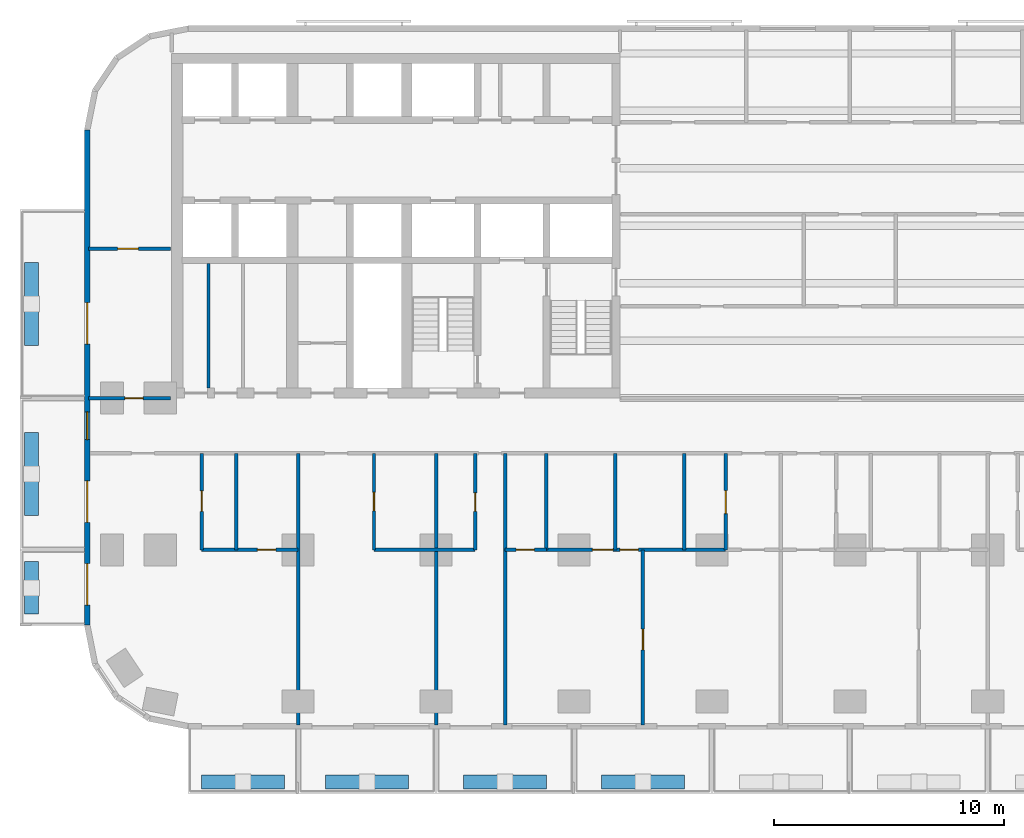
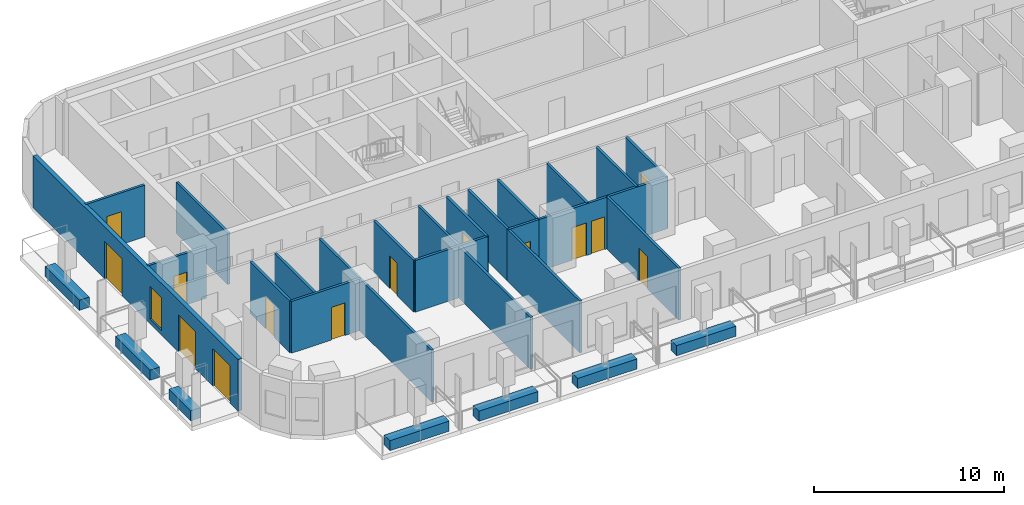
# One storey, part 2 of 14: 28 walls, 14 doors, 1 window, 15 openings.
"""IFC4 building model written with IfcOpenShell, lengths in metres."""

import ifcopenshell
import ifcopenshell.guid

model = None  # the IFC model being written
_history = None  # IfcOwnerHistory: only IFC2X3 demands one
_inside = {}  # id of a spatial element -> (the spatial element, [elements in it])
_under = {}  # id of a project, library or spatial element -> (it, [spatial elements below it])
_declared = {}  # id of a project -> (the project, [libraries it declares])
_typed = {}  # id of a type object -> (the type object, [elements of that type])
_made_of = {}  # id of a material, layer set ... -> (it, [elements and type objects made of it])


def new_model(schema):
    """Start an empty IFC model of exactly this schema.

    Asked for "IFC4X3", IfcOpenShell would pick the latest addendum, in which some entities
    have other attributes; the version numbers below select the first issue.
    IFC2X3 requires an IfcOwnerHistory on every rooted entity: one is made here for all.
    """
    global model, _history
    if schema == "IFC4X3":
        model = ifcopenshell.file(schema_version=(4, 3, 0, 0))
    else:
        model = ifcopenshell.file(schema=schema)
    _inside.clear()
    _under.clear()
    _declared.clear()
    _typed.clear()
    _made_of.clear()
    _history = None
    if model.schema == "IFC2X3":
        org = make("IfcOrganization", Name="unknown")
        user = make(
            "IfcPersonAndOrganization",
            ThePerson=make("IfcPerson", FamilyName="unknown"),
            TheOrganization=org,
        )
        app = make(
            "IfcApplication",
            ApplicationDeveloper=org,
            Version="unknown",
            ApplicationFullName="unknown",
            ApplicationIdentifier="unknown",
        )
        _history = make(
            "IfcOwnerHistory",
            OwningUser=user,
            OwningApplication=app,
            ChangeAction="ADDED",
            CreationDate=0,
        )
    return model


def make(cls, **values):
    """One entity of the class cls with the attributes given. An attribute that is None is left unset."""
    return model.create_entity(
        cls, **{name: value for name, value in values.items() if value is not None}
    )


def rooted(cls, **values):
    """An entity with a GlobalId (a new one), such as an element, a storey or a relation."""
    return make(cls, GlobalId=ifcopenshell.guid.new(), OwnerHistory=_history, **values)


def si_unit(unit_type, name, prefix=None):
    """IfcSIUnit, for example si_unit("LENGTHUNIT", "METRE", prefix="MILLI")."""
    return make("IfcSIUnit", UnitType=unit_type, Prefix=prefix, Name=name)


def assignment(units):
    """IfcUnitAssignment: the units of a project."""
    return None if units is None else make("IfcUnitAssignment", Units=units)


def point(xyz):
    """IfcCartesianPoint."""
    return None if xyz is None else make("IfcCartesianPoint", Coordinates=xyz)


def direction(xyz):
    """IfcDirection."""
    return None if xyz is None else make("IfcDirection", DirectionRatios=xyz)


def frame(location, z_axis=None, x_axis=None):
    """IfcAxis2Placement3D, a coordinate frame: its origin and axes. An axis left out is left unset."""
    return make(
        "IfcAxis2Placement3D",
        Location=point(location),
        Axis=direction(z_axis),
        RefDirection=direction(x_axis),
    )


def frame_2d(location, x_axis=None):
    """IfcAxis2Placement2D, a coordinate frame in the plane: its origin and x axis."""
    return make(
        "IfcAxis2Placement2D", Location=point(location), RefDirection=direction(x_axis)
    )


def origin():
    """The frame at (0, 0, 0) with its axes left unset."""
    return frame((0.0, 0.0, 0.0))


def place(relative_to, where):
    """IfcLocalPlacement: puts the frame where relative to a parent placement (None: the world)."""
    return make(
        "IfcLocalPlacement", PlacementRelTo=relative_to, RelativePlacement=where
    )


def context(
    kind, dimensions, precision=None, world=None, true_north=None, identifier=None
):
    """IfcGeometricRepresentationContext, for example the 3D "Model" context."""
    return make(
        "IfcGeometricRepresentationContext",
        ContextIdentifier=identifier,
        ContextType=kind,
        CoordinateSpaceDimension=dimensions,
        Precision=precision,
        WorldCoordinateSystem=world,
        TrueNorth=true_north,
    )


def subcontext(parent, identifier, kind, view, scale=None):
    """IfcGeometricRepresentationSubContext, for example "Body" below "Model"."""
    return make(
        "IfcGeometricRepresentationSubContext",
        ContextIdentifier=identifier,
        ContextType=kind,
        ParentContext=parent,
        TargetScale=scale,
        TargetView=view,
    )


def project(units=None, contexts=None):
    """IfcProject with its units and contexts."""
    return rooted(
        "IfcProject",
        Name="project",
        RepresentationContexts=contexts,
        UnitsInContext=assignment(units),
    )


def spatial(cls, under=None, at=None, **own):
    """A site, building, storey or space (cls), placed at a placement, below another one or the project."""
    s = rooted(cls, ObjectPlacement=at, **own)
    if under is not None:
        _under.setdefault(under.id(), (under, []))[1].append(s)
    return s


def profile(cls, at=None, kind="AREA", **sizes):
    """A parametric profile (cls). Its sizes go by their IFC names, for example OverallWidth=200.0."""
    return make(cls, ProfileType=kind, Position=at, **sizes)


def rectangle(**sizes):
    """IfcRectangleProfileDef."""
    return profile("IfcRectangleProfileDef", **sizes)


def extrude(swept, where, along, depth):
    """IfcExtrudedAreaSolid: the profile swept, set in the frame where, extruded along a direction by depth."""
    return make(
        "IfcExtrudedAreaSolid",
        SweptArea=swept,
        Position=where,
        ExtrudedDirection=direction(along),
        Depth=depth,
    )


def shape(context_of_items, identifier, shape_type, items):
    """IfcShapeRepresentation: the items that make up one representation, for example the "Body"."""
    return make(
        "IfcShapeRepresentation",
        ContextOfItems=context_of_items,
        RepresentationIdentifier=identifier,
        RepresentationType=shape_type,
        Items=items,
    )


def material(Name=None, Category=None):
    """IfcMaterial."""
    return make("IfcMaterial", Name=Name, Category=Category)


def layer(
    of_material, thickness, ventilated=None, Name=None, Category=None, Priority=None
):
    """IfcMaterialLayer: one layer of a wall or slab, of a material (None: an air gap)."""
    return make(
        "IfcMaterialLayer",
        Material=of_material,
        LayerThickness=thickness,
        IsVentilated=ventilated,
        Name=Name,
        Category=Category,
        Priority=Priority,
    )


def layer_set(layers, Name=None):
    """IfcMaterialLayerSet."""
    return make("IfcMaterialLayerSet", MaterialLayers=layers, LayerSetName=Name)


def made_of(thing, what):
    """Note that an element or type object is made of a material, layer set ...; save() writes the relation."""
    if what is not None:
        _made_of.setdefault(what.id(), (what, []))[1].append(thing)
    return thing


def type_object(cls, material=None, **own):
    """A type object (cls), such as IfcWallType, which elements share."""
    return made_of(rooted(cls, **own), material)


def element(
    cls,
    number,
    at=None,
    inside=None,
    cuts=None,
    type_object=None,
    material=None,
    context=None,
    identifier="Body",
    shape_type=None,
    held_by="IfcProductDefinitionShape",
    body=None,
    shapes=None,
    **own,
):
    """One element of the class cls, such as IfcWall. Its Tag is "e" and its number.

    at: its placement. inside: the storey or other place that contains it. cuts: it is an
    opening in that element (IfcRelVoidsElement). A single representation is given by context,
    identifier, shape_type and body (its items); several are given by shapes. held_by: the class
    of the entity that holds the representations. save() writes the other relations.
    """
    e = rooted(cls, Tag="e%d" % number, ObjectPlacement=at, **own)
    if body is not None:
        shapes = [shape(context, identifier, shape_type, body)]
    if shapes is not None:
        e.Representation = make(held_by, Representations=shapes)
    if inside is not None:
        _inside.setdefault(inside.id(), (inside, []))[1].append(e)
    if cuts is not None:
        rooted(
            "IfcRelVoidsElement", RelatingBuildingElement=cuts, RelatedOpeningElement=e
        )
    if type_object is not None:
        _typed.setdefault(type_object.id(), (type_object, []))[1].append(e)
    return made_of(e, material)


def fill(opening, filler):
    """IfcRelFillsElement: the door or window that sits in an opening."""
    return rooted(
        "IfcRelFillsElement",
        RelatingOpeningElement=opening,
        RelatedBuildingElement=filler,
    )


def aggregate(whole, parts):
    """IfcRelAggregates: a whole, such as a stair, and the parts it consists of."""
    return rooted("IfcRelAggregates", RelatingObject=whole, RelatedObjects=parts)


def save(model, path):
    """Write the relations noted so far, then the file.

    IfcRelAggregates (storeys below a building ...), IfcRelContainedInSpatialStructure (elements
    in a storey), IfcRelDefinesByType, IfcRelAssociatesMaterial and IfcRelDeclares: one each for
    every whole, place, type object, material and project.
    """
    for whole, parts in _under.values():
        aggregate(whole, parts)
    for where, things in _inside.values():
        rooted(
            "IfcRelContainedInSpatialStructure",
            RelatedElements=things,
            RelatingStructure=where,
        )
    for kind, things in _typed.values():
        rooted("IfcRelDefinesByType", RelatedObjects=things, RelatingType=kind)
    for what, things in _made_of.values():
        rooted("IfcRelAssociatesMaterial", RelatedObjects=things, RelatingMaterial=what)
    for by, libraries in _declared.values():
        rooted("IfcRelDeclares", RelatingContext=by, RelatedDefinitions=libraries)
    model.write(path)


model = new_model("IFC4")

# Units and contexts
model_context = context("Model", 3, precision=1e-05, world=origin(), true_north=direction((0.0, 1.0)))
body_context = subcontext(model_context, "Body", "Model", "MODEL_VIEW")
ifc_project = project(units=[si_unit("LENGTHUNIT", "METRE"), si_unit("AREAUNIT", "SQUARE_METRE"), si_unit("VOLUMEUNIT", "CUBIC_METRE"), si_unit("PLANEANGLEUNIT", "RADIAN"), si_unit("MASSUNIT", "GRAM", prefix="KILO")], contexts=[model_context])

# Site, building, storey
site_placement = place(None, origin())
site = spatial("IfcSite", under=ifc_project, at=site_placement, CompositionType="ELEMENT")
building_placement = place(site_placement, origin())
building = spatial("IfcBuilding", under=site, at=building_placement, Name="Torana Hotel and Residences", CompositionType="ELEMENT")
storey_placement = place(building_placement, frame((0.0, 0.0, 85.199951171875)))
storey = spatial("IfcBuildingStorey", under=building, at=storey_placement, Name="L21", CompositionType="ELEMENT", Elevation=85.199951171875)

# Wall, openings, doors, window
ifc_material_1 = material(Name="Black aluminium composite panel", Category="aluminium")
ifc_layer_1 = layer(ifc_material_1, 0.00390625, Name="Cladding", Category="cladding")
ifc_material_2 = material(Name="Ventilated air cavity")
ifc_layer_2 = layer(ifc_material_2, 0.0400390625, Name="Ventilated cavity", Category="cavity")
ifc_material_3 = material(Name="Mineral wool insulation")
ifc_layer_3 = layer(ifc_material_3, 0.090087890625, Name="Insulation", Category="insulation")
ifc_material_4 = material(Name="Steel S280GD", Category="steel")
ifc_layer_4 = layer(ifc_material_4, 0.092041015625, Name="Steel stud frame", Category="structure")
ifc_material_5 = material(Name="Fire rated plasterboard")
ifc_layer_5 = layer(ifc_material_5, 0.011962890625, Name="Inner board", Category="finish")
ifc_layer_6 = layer(ifc_material_5, 0.011962890625, Name="Second board", Category="finish")
ifc_layer_set_1 = layer_set([ifc_layer_1, ifc_layer_2, ifc_layer_3, ifc_layer_4, ifc_layer_5, ifc_layer_6], Name="EW1 EXTERNAL WALL BLACK METAL CLAD 250")
wall_type_1 = type_object("IfcWallType", Name="EW1 EXTERNAL WALL BLACK METAL CLAD 250", PredefinedType="SOLIDWALL", material=ifc_layer_set_1)
wall_1_placement = place(storey_placement, frame((-33.175048828125, -3.32470703125, 0.0), z_axis=(0.0, 0.0, 1.0), x_axis=(0.0, -1.0, 0.0)))
wall_1 = element("IfcWall", 1, at=wall_1_placement, inside=storey, type_object=wall_type_1, Name="External wall L21 e0.9", PredefinedType="SOLIDWALL", context=body_context, shape_type="SweptSolid", body=[
    extrude(rectangle(XDim=21.55078125, YDim=0.25, at=frame_2d((10.775390625, 0.0))), origin(), (0.0, 0.0, 1.0), 3.320068359375),
])
opening_1_placement = place(wall_1_placement, frame((7.525390625, 0.0, 0.0)))
opening_1 = element("IfcOpeningElement", 2, at=opening_1_placement, cuts=wall_1, Name="Opening L21-E14", PredefinedType="OPENING", context=body_context, shape_type="SweptSolid", body=[
    extrude(rectangle(XDim=1.800048828125, YDim=2.39990234375, at=frame_2d((0.89990234375, 1.199951171875))), frame((0.0, 0.135009765625, 0.0), z_axis=(0.0, -1.0, 0.0), x_axis=(1.0, 0.0, 0.0)), (0.0, 0.0, 1.0), 0.27001953125),
])
opening_2_placement = place(wall_1_placement, frame((12.275390625, 0.0, 0.300048828125)))
opening_2 = element("IfcOpeningElement", 3, at=opening_2_placement, cuts=wall_1, Name="Opening W7", PredefinedType="OPENING", context=body_context, shape_type="SweptSolid", body=[
    extrude(rectangle(XDim=1.199951171875, YDim=2.10009765625, at=frame_2d((0.60009765625, 1.050048828125))), frame((0.0, 0.135009765625, 0.0), z_axis=(0.0, -1.0, 0.0), x_axis=(1.0, 0.0, 0.0)), (0.0, 0.0, 1.0), 0.27001953125),
])
opening_3_placement = place(wall_1_placement, frame((15.275390625, 0.0, 0.0)))
opening_3 = element("IfcOpeningElement", 4, at=opening_3_placement, cuts=wall_1, Name="Opening L21-E15", PredefinedType="OPENING", context=body_context, shape_type="SweptSolid", body=[
    extrude(rectangle(XDim=1.800048828125, YDim=2.39990234375, at=frame_2d((0.89990234375, 1.199951171875))), frame((0.0, 0.135009765625, 0.0), z_axis=(0.0, -1.0, 0.0), x_axis=(1.0, 0.0, 0.0)), (0.0, 0.0, 1.0), 0.27001953125),
])
opening_4_placement = place(wall_1_placement, frame((18.87548828125, 0.0, 0.0)))
opening_4 = element("IfcOpeningElement", 5, at=opening_4_placement, cuts=wall_1, Name="Opening L21-E16", PredefinedType="OPENING", context=body_context, shape_type="SweptSolid", body=[
    extrude(rectangle(XDim=1.800048828125, YDim=2.39990234375, at=frame_2d((0.89990234375, 1.199951171875))), frame((0.0, 0.135009765625, 0.0), z_axis=(0.0, -1.0, 0.0), x_axis=(1.0, 0.0, 0.0)), (0.0, 0.0, 1.0), 0.27001953125),
])
ifc_material_6 = material(Name="Dark glass in black aluminium frame", Category="aluminium")
door_type_1 = type_object("IfcDoorType", Name="DB1 BALCONY DOOR 1800x2400", OperationType="DOUBLE_DOOR_SINGLE_SWING", PredefinedType="DOOR", material=ifc_material_6)
door_1_placement = place(opening_1_placement, origin())
door_1 = element("IfcDoor", 6, at=door_1_placement, inside=storey, type_object=door_type_1, Name="Balcony door L21", OperationType="DOUBLE_DOOR_SINGLE_SWING", OverallHeight=2.39990234375, OverallWidth=1.800048828125, PredefinedType="DOOR", context=body_context, shape_type="SweptSolid", body=[
    extrude(rectangle(XDim=1.800048828125, YDim=2.39990234375, at=frame_2d((0.89990234375, 1.199951171875))), frame((0.0, 0.02490234375, 0.0), z_axis=(0.0, -1.0, 0.0), x_axis=(1.0, 0.0, 0.0)), (0.0, 0.0, 1.0), 0.050048828125),
])
fill(opening_1, door_1)
door_2_placement = place(opening_3_placement, origin())
door_2 = element("IfcDoor", 7, at=door_2_placement, inside=storey, type_object=door_type_1, Name="Balcony door L21", OperationType="DOUBLE_DOOR_SINGLE_SWING", OverallHeight=2.39990234375, OverallWidth=1.800048828125, PredefinedType="DOOR", context=body_context, shape_type="SweptSolid", body=[
    extrude(rectangle(XDim=1.800048828125, YDim=2.39990234375, at=frame_2d((0.89990234375, 1.199951171875))), frame((0.0, 0.02490234375, 0.0), z_axis=(0.0, -1.0, 0.0), x_axis=(1.0, 0.0, 0.0)), (0.0, 0.0, 1.0), 0.050048828125),
])
fill(opening_3, door_2)
door_3_placement = place(opening_4_placement, frame((0.89990234375, 0.0, 0.0), z_axis=(0.0, 0.0, 1.0), x_axis=(-1.0, 0.0, 0.0)))
door_3 = element("IfcDoor", 8, at=door_3_placement, inside=storey, type_object=door_type_1, Name="Balcony door L21", OperationType="DOUBLE_DOOR_SINGLE_SWING", OverallHeight=2.39990234375, OverallWidth=1.800048828125, PredefinedType="DOOR", context=body_context, shape_type="SweptSolid", body=[
    extrude(rectangle(XDim=1.800048828125, YDim=2.39990234375, at=frame_2d((0.0, 1.199951171875))), frame((0.0, -0.02490234375, 0.0), z_axis=(0.0, 1.0, 0.0), x_axis=(-1.0, 0.0, 0.0)), (0.0, 0.0, 1.0), 0.050048828125),
])
fill(opening_4, door_3)
ifc_material_7 = material(Name="Dark glass in black aluminium frame", Category="aluminium")
window_type = type_object("IfcWindowType", Name="W7 HOTEL CORRIDOR WINDOW 1200x2100", PartitioningType="SINGLE_PANEL", PredefinedType="WINDOW", material=ifc_material_7)
window_placement = place(opening_2_placement, origin())
window = element("IfcWindow", 9, at=window_placement, inside=storey, type_object=window_type, Name="Window L21", OverallHeight=2.10009765625, OverallWidth=1.199951171875, PartitioningType="SINGLE_PANEL", PredefinedType="WINDOW", context=body_context, shape_type="SweptSolid", body=[
    extrude(rectangle(XDim=1.199951171875, YDim=2.10009765625, at=frame_2d((0.60009765625, 1.050048828125))), frame((0.0, 0.030029296875, 0.0), z_axis=(0.0, -1.0, 0.0), x_axis=(1.0, 0.0, 0.0)), (0.0, 0.0, 1.0), 0.06005859375),
])
fill(opening_2, window)

# Wall
ifc_material_8 = material(Name="Gypsum plaster")
ifc_layer_7 = layer(ifc_material_8, 0.014892578125, Name="Plaster", Category="finish")
ifc_material_9 = material(Name="Concrete blockwork", Category="masonry")
ifc_layer_8 = layer(ifc_material_9, 0.1201171875, Name="Blockwork", Category="structure")
ifc_layer_9 = layer(ifc_material_8, 0.014892578125, Name="Plaster", Category="finish")
ifc_layer_set_2 = layer_set([ifc_layer_7, ifc_layer_8, ifc_layer_9], Name="FIRE PARTITION 150 BLOCKWORK")
wall_type_2 = type_object("IfcWallType", Name="FIRE PARTITION 150 BLOCKWORK", PredefinedType="PARTITIONING", material=ifc_layer_set_2)
wall_2_placement = place(storey_placement, frame((-27.89990234375, -14.550048828125, 0.0), z_axis=(0.0, 0.0, 1.0), x_axis=(0.0, 1.0, 0.0)))
element("IfcWall", 10, at=wall_2_placement, inside=storey, type_object=wall_type_2, Name="Core partition L21", PredefinedType="PARTITIONING", context=body_context, shape_type="SweptSolid", body=[
    extrude(rectangle(XDim=5.400146484375, YDim=0.14990234375, at=frame_2d((2.7001953125, 0.0))), origin(), (0.0, 0.0, 1.0), 3.300048828125),
])

# Wall, opening, door
wall_3_placement = place(storey_placement, frame((-5.39990234375, -21.60009765625, 0.0), z_axis=(0.0, 0.0, 1.0), x_axis=(0.0, 1.0, 0.0)))
wall_3 = element("IfcWall", 11, at=wall_3_placement, inside=storey, type_object=wall_type_2, Name="Partition L21", PredefinedType="PARTITIONING", context=body_context, shape_type="SweptSolid", body=[
    extrude(rectangle(XDim=4.2001953125, YDim=0.14990234375, at=frame_2d((2.10009765625, 0.0))), origin(), (0.0, 0.0, 1.0), 3.320068359375),
])
opening_5_placement = place(wall_3_placement, frame((1.580078125, 0.0, 0.0)))
opening_5 = element("IfcOpeningElement", 12, at=opening_5_placement, cuts=wall_3, Name="Opening L21-65", PredefinedType="OPENING", context=body_context, shape_type="SweptSolid", body=[
    extrude(rectangle(XDim=1.0, YDim=2.10009765625, at=frame_2d((0.5, 1.050048828125))), frame((0.0, 0.0849609375, 0.0), z_axis=(0.0, -1.0, 0.0), x_axis=(1.0, 0.0, 0.0)), (0.0, 0.0, 1.0), 0.169921875),
])
ifc_material_10 = material(Name="Steel S235", Category="steel")
door_type_2 = type_object("IfcDoorType", Name="ENTRY FIRE DOOR D6 1000x2100", OperationType="SINGLE_SWING_LEFT", PredefinedType="DOOR", material=ifc_material_10)
door_4_placement = place(opening_5_placement, origin())
door_4 = element("IfcDoor", 13, at=door_4_placement, inside=storey, type_object=door_type_2, Name="Door L21", OperationType="SINGLE_SWING_RIGHT", OverallHeight=2.10009765625, OverallWidth=1.0, PredefinedType="DOOR", context=body_context, shape_type="SweptSolid", body=[
    extrude(rectangle(XDim=1.0, YDim=2.10009765625, at=frame_2d((0.5, 1.050048828125))), frame((0.0, 0.02490234375, 0.0), z_axis=(0.0, -1.0, 0.0), x_axis=(1.0, 0.0, 0.0)), (0.0, 0.0, 1.0), 0.050048828125),
])
fill(opening_5, door_4)

wall_4_placement = place(storey_placement, frame((-33.1201171875, -15.0, 0.0), z_axis=(0.0, 0.0, 1.0), x_axis=(1.0, 0.0, 0.0)))
wall_4 = element("IfcWall", 14, at=wall_4_placement, inside=storey, type_object=wall_type_2, Name="Partition L21", PredefinedType="PARTITIONING", context=body_context, shape_type="SweptSolid", body=[
    extrude(rectangle(XDim=3.570068359375, YDim=0.14990234375, at=frame_2d((1.78515625, 0.0))), origin(), (0.0, 0.0, 1.0), 3.320068359375),
])
opening_6_placement = place(wall_4_placement, frame((1.580078125, 0.0, 0.0)))
opening_6 = element("IfcOpeningElement", 15, at=opening_6_placement, cuts=wall_4, Name="Opening L21-49", PredefinedType="OPENING", context=body_context, shape_type="SweptSolid", body=[
    extrude(rectangle(XDim=0.800048828125, YDim=2.10009765625, at=frame_2d((0.39990234375, 1.050048828125))), frame((0.0, 0.0849609375, 0.0), z_axis=(0.0, -1.0, 0.0), x_axis=(1.0, 0.0, 0.0)), (0.0, 0.0, 1.0), 0.169921875),
])
ifc_material_11 = material(Name="Steel S235", Category="steel")
door_type_3 = type_object("IfcDoorType", Name="STORE FIRE DOOR D16 800x2100", OperationType="SINGLE_SWING_LEFT", PredefinedType="DOOR", material=ifc_material_11)
door_5_placement = place(opening_6_placement, origin())
door_5 = element("IfcDoor", 16, at=door_5_placement, inside=storey, type_object=door_type_3, Name="Door L21", OperationType="SINGLE_SWING_RIGHT", OverallHeight=2.10009765625, OverallWidth=0.800048828125, PredefinedType="DOOR", context=body_context, shape_type="SweptSolid", body=[
    extrude(rectangle(XDim=0.800048828125, YDim=2.10009765625, at=frame_2d((0.39990234375, 1.050048828125))), frame((0.0, 0.02490234375, 0.0), z_axis=(0.0, -1.0, 0.0), x_axis=(1.0, 0.0, 0.0)), (0.0, 0.0, 1.0), 0.050048828125),
])
fill(opening_6, door_5)

# Wall
ifc_material_12 = material(Name="Gypsum plasterboard")
ifc_layer_10 = layer(ifc_material_12, 0.012451171875, Name="Plasterboard", Category="finish")
ifc_layer_11 = layer(ifc_material_12, 0.012451171875, Name="Plasterboard", Category="finish")
ifc_layer_12 = layer(ifc_material_4, 0.10009765625, Name="Steel studs with mineral wool", Category="insulation")
ifc_layer_13 = layer(ifc_material_12, 0.012451171875, Name="Plasterboard", Category="finish")
ifc_layer_14 = layer(ifc_material_12, 0.012451171875, Name="Plasterboard", Category="finish")
ifc_layer_set_3 = layer_set([ifc_layer_10, ifc_layer_11, ifc_layer_12, ifc_layer_13, ifc_layer_14], Name="PARTITION 150 PLASTERBOARD")
wall_type_3 = type_object("IfcWallType", Name="PARTITION 150 PLASTERBOARD", PredefinedType="PARTITIONING", material=ifc_layer_set_3)
wall_5_placement = place(storey_placement, frame((-7.199951171875, -21.60009765625, 0.0), z_axis=(0.0, 0.0, 1.0), x_axis=(0.0, 1.0, 0.0)))
element("IfcWall", 17, at=wall_5_placement, inside=storey, type_object=wall_type_3, Name="Partition L21", PredefinedType="PARTITIONING", context=body_context, shape_type="SweptSolid", body=[
    extrude(rectangle(XDim=4.2001953125, YDim=0.14990234375, at=frame_2d((2.10009765625, 0.0))), origin(), (0.0, 0.0, 1.0), 3.320068359375),
])

# Wall, opening, door
wall_6_placement = place(storey_placement, frame((-9.0, -29.219970703125, 0.0), z_axis=(0.0, 0.0, 1.0), x_axis=(0.0, 1.0, 0.0)))
wall_6 = element("IfcWall", 18, at=wall_6_placement, inside=storey, type_object=wall_type_3, Name="Partition L21", PredefinedType="PARTITIONING", context=body_context, shape_type="SweptSolid", body=[
    extrude(rectangle(XDim=7.619873046875, YDim=0.14990234375, at=frame_2d((3.81005859375, 0.0))), origin(), (0.0, 0.0, 1.0), 3.320068359375),
])
opening_7_placement = place(wall_6_placement, frame((3.27001953125, 0.0, 0.0)))
opening_7 = element("IfcOpeningElement", 19, at=opening_7_placement, cuts=wall_6, Name="Opening L21-67", PredefinedType="OPENING", context=body_context, shape_type="SweptSolid", body=[
    extrude(rectangle(XDim=0.89990234375, YDim=2.10009765625, at=frame_2d((0.449951171875, 1.050048828125))), frame((0.0, 0.0849609375, 0.0), z_axis=(0.0, -1.0, 0.0), x_axis=(1.0, 0.0, 0.0)), (0.0, 0.0, 1.0), 0.169921875),
])
ifc_material_13 = material(Name="Timber door, oiled ash", Category="wood")
door_type_4 = type_object("IfcDoorType", Name="ROOM DOOR D7 900x2100", OperationType="SINGLE_SWING_LEFT", PredefinedType="DOOR", material=ifc_material_13)
door_6_placement = place(opening_7_placement, origin())
door_6 = element("IfcDoor", 20, at=door_6_placement, inside=storey, type_object=door_type_4, Name="Door L21", OperationType="SINGLE_SWING_RIGHT", OverallHeight=2.10009765625, OverallWidth=0.89990234375, PredefinedType="DOOR", context=body_context, shape_type="SweptSolid", body=[
    extrude(rectangle(XDim=0.89990234375, YDim=2.10009765625, at=frame_2d((0.449951171875, 1.050048828125))), frame((0.0, 0.02490234375, 0.0), z_axis=(0.0, -1.0, 0.0), x_axis=(1.0, 0.0, 0.0)), (0.0, 0.0, 1.0), 0.050048828125),
])
fill(opening_7, door_6)

# Walls
wall_7_placement = place(storey_placement, frame((-10.199951171875, -21.60009765625, 0.0), z_axis=(0.0, 0.0, 1.0), x_axis=(0.0, 1.0, 0.0)))
element("IfcWall", 21, at=wall_7_placement, inside=storey, type_object=wall_type_3, Name="Partition L21", PredefinedType="PARTITIONING", context=body_context, shape_type="SweptSolid", body=[
    extrude(rectangle(XDim=4.2001953125, YDim=0.14990234375, at=frame_2d((2.10009765625, 0.0))), origin(), (0.0, 0.0, 1.0), 3.320068359375),
])
wall_8_placement = place(storey_placement, frame((-15.0, -29.219970703125, 0.0), z_axis=(0.0, 0.0, 1.0), x_axis=(0.0, 1.0, 0.0)))
element("IfcWall", 22, at=wall_8_placement, inside=storey, type_object=wall_type_3, Name="Partition L21", PredefinedType="PARTITIONING", context=body_context, shape_type="SweptSolid", body=[
    extrude(rectangle(XDim=7.619873046875, YDim=0.14990234375, at=frame_2d((3.81005859375, 0.0))), origin(), (0.0, 0.0, 1.0), 3.320068359375),
])

# Wall, opening, door
wall_9_placement = place(storey_placement, frame((-16.300048828125, -21.60009765625, 0.0), z_axis=(0.0, 0.0, 1.0), x_axis=(0.0, 1.0, 0.0)))
wall_9 = element("IfcWall", 23, at=wall_9_placement, inside=storey, type_object=wall_type_3, Name="Partition L21", PredefinedType="PARTITIONING", context=body_context, shape_type="SweptSolid", body=[
    extrude(rectangle(XDim=4.2001953125, YDim=0.14990234375, at=frame_2d((2.10009765625, 0.0))), origin(), (0.0, 0.0, 1.0), 3.320068359375),
])
opening_8_placement = place(wall_9_placement, frame((1.679931640625, 0.0, 0.0)))
opening_8 = element("IfcOpeningElement", 24, at=opening_8_placement, cuts=wall_9, Name="Opening L21-61", PredefinedType="OPENING", context=body_context, shape_type="SweptSolid", body=[
    extrude(rectangle(XDim=0.800048828125, YDim=2.10009765625, at=frame_2d((0.39990234375, 1.050048828125))), frame((0.0, 0.0849609375, 0.0), z_axis=(0.0, -1.0, 0.0), x_axis=(1.0, 0.0, 0.0)), (0.0, 0.0, 1.0), 0.169921875),
])
ifc_material_14 = material(Name="Timber door, painted", Category="wood")
door_type_5 = type_object("IfcDoorType", Name="BATH DOOR D13 800x2100", OperationType="SINGLE_SWING_LEFT", PredefinedType="DOOR", material=ifc_material_14)
door_7_placement = place(opening_8_placement, origin())
door_7 = element("IfcDoor", 25, at=door_7_placement, inside=storey, type_object=door_type_5, Name="Door L21", OperationType="SINGLE_SWING_RIGHT", OverallHeight=2.10009765625, OverallWidth=0.800048828125, PredefinedType="DOOR", context=body_context, shape_type="SweptSolid", body=[
    extrude(rectangle(XDim=0.800048828125, YDim=2.10009765625, at=frame_2d((0.39990234375, 1.050048828125))), frame((0.0, 0.02490234375, 0.0), z_axis=(0.0, -1.0, 0.0), x_axis=(1.0, 0.0, 0.0)), (0.0, 0.0, 1.0), 0.050048828125),
])
fill(opening_8, door_7)

# Wall
wall_10_placement = place(storey_placement, frame((-18.0, -29.219970703125, 0.0), z_axis=(0.0, 0.0, 1.0), x_axis=(0.0, 1.0, 0.0)))
element("IfcWall", 26, at=wall_10_placement, inside=storey, type_object=wall_type_3, Name="Partition L21", PredefinedType="PARTITIONING", context=body_context, shape_type="SweptSolid", body=[
    extrude(rectangle(XDim=11.820068359375, YDim=0.14990234375, at=frame_2d((5.91015625, 0.0))), origin(), (0.0, 0.0, 1.0), 3.320068359375),
])

# Wall, opening, door
wall_11_placement = place(storey_placement, frame((-20.699951171875, -21.60009765625, 0.0), z_axis=(0.0, 0.0, 1.0), x_axis=(0.0, 1.0, 0.0)))
wall_11 = element("IfcWall", 27, at=wall_11_placement, inside=storey, type_object=wall_type_3, Name="Partition L21", PredefinedType="PARTITIONING", context=body_context, shape_type="SweptSolid", body=[
    extrude(rectangle(XDim=4.2001953125, YDim=0.14990234375, at=frame_2d((2.10009765625, 0.0))), origin(), (0.0, 0.0, 1.0), 3.320068359375),
])
opening_9_placement = place(wall_11_placement, frame((1.699951171875, 0.0, 0.0)))
opening_9 = element("IfcOpeningElement", 28, at=opening_9_placement, cuts=wall_11, Name="Opening L21-60", PredefinedType="OPENING", context=body_context, shape_type="SweptSolid", body=[
    extrude(rectangle(XDim=0.800048828125, YDim=2.10009765625, at=frame_2d((0.39990234375, 1.050048828125))), frame((0.0, 0.0849609375, 0.0), z_axis=(0.0, -1.0, 0.0), x_axis=(1.0, 0.0, 0.0)), (0.0, 0.0, 1.0), 0.169921875),
])
door_8_placement = place(opening_9_placement, origin())
door_8 = element("IfcDoor", 29, at=door_8_placement, inside=storey, type_object=door_type_5, Name="Door L21", OperationType="SINGLE_SWING_RIGHT", OverallHeight=2.10009765625, OverallWidth=0.800048828125, PredefinedType="DOOR", context=body_context, shape_type="SweptSolid", body=[
    extrude(rectangle(XDim=0.800048828125, YDim=2.10009765625, at=frame_2d((0.39990234375, 1.050048828125))), frame((0.0, 0.02490234375, 0.0), z_axis=(0.0, -1.0, 0.0), x_axis=(1.0, 0.0, 0.0)), (0.0, 0.0, 1.0), 0.050048828125),
])
fill(opening_9, door_8)

# Walls
wall_12_placement = place(storey_placement, frame((-24.0, -29.219970703125, 0.0), z_axis=(0.0, 0.0, 1.0), x_axis=(0.0, 1.0, 0.0)))
element("IfcWall", 30, at=wall_12_placement, inside=storey, type_object=wall_type_3, Name="Partition L21", PredefinedType="PARTITIONING", context=body_context, shape_type="SweptSolid", body=[
    extrude(rectangle(XDim=11.820068359375, YDim=0.14990234375, at=frame_2d((5.91015625, 0.0))), origin(), (0.0, 0.0, 1.0), 3.320068359375),
])
wall_13_placement = place(storey_placement, frame((-26.699951171875, -21.60009765625, 0.0), z_axis=(0.0, 0.0, 1.0), x_axis=(0.0, 1.0, 0.0)))
element("IfcWall", 31, at=wall_13_placement, inside=storey, type_object=wall_type_3, Name="Partition L21", PredefinedType="PARTITIONING", context=body_context, shape_type="SweptSolid", body=[
    extrude(rectangle(XDim=4.2001953125, YDim=0.14990234375, at=frame_2d((2.10009765625, 0.0))), origin(), (0.0, 0.0, 1.0), 3.320068359375),
])

# Wall, opening, door
wall_14_placement = place(storey_placement, frame((-28.199951171875, -21.60009765625, 0.0), z_axis=(0.0, 0.0, 1.0), x_axis=(0.0, 1.0, 0.0)))
wall_14 = element("IfcWall", 32, at=wall_14_placement, inside=storey, type_object=wall_type_3, Name="Partition L21", PredefinedType="PARTITIONING", context=body_context, shape_type="SweptSolid", body=[
    extrude(rectangle(XDim=4.2001953125, YDim=0.14990234375, at=frame_2d((2.10009765625, 0.0))), origin(), (0.0, 0.0, 1.0), 3.320068359375),
])
opening_10_placement = place(wall_14_placement, frame((1.669921875, 0.0, 0.0)))
opening_10 = element("IfcOpeningElement", 33, at=opening_10_placement, cuts=wall_14, Name="Opening L21-78", PredefinedType="OPENING", context=body_context, shape_type="SweptSolid", body=[
    extrude(rectangle(XDim=0.89990234375, YDim=2.10009765625, at=frame_2d((0.449951171875, 1.050048828125))), frame((0.0, 0.0849609375, 0.0), z_axis=(0.0, -1.0, 0.0), x_axis=(1.0, 0.0, 0.0)), (0.0, 0.0, 1.0), 0.169921875),
])
door_9_placement = place(opening_10_placement, origin())
door_9 = element("IfcDoor", 34, at=door_9_placement, inside=storey, type_object=door_type_4, Name="Door L21", OperationType="SINGLE_SWING_RIGHT", OverallHeight=2.10009765625, OverallWidth=0.89990234375, PredefinedType="DOOR", context=body_context, shape_type="SweptSolid", body=[
    extrude(rectangle(XDim=0.89990234375, YDim=2.10009765625, at=frame_2d((0.449951171875, 1.050048828125))), frame((0.0, 0.02490234375, 0.0), z_axis=(0.0, -1.0, 0.0), x_axis=(1.0, 0.0, 0.0)), (0.0, 0.0, 1.0), 0.050048828125),
])
fill(opening_10, door_9)

wall_15_placement = place(storey_placement, frame((-28.199951171875, -21.60009765625, 0.0), z_axis=(0.0, 0.0, 1.0), x_axis=(1.0, 0.0, 0.0)))
wall_15 = element("IfcWall", 35, at=wall_15_placement, inside=storey, type_object=wall_type_3, Name="Partition L21", PredefinedType="PARTITIONING", context=body_context, shape_type="SweptSolid", body=[
    extrude(rectangle(XDim=4.199951171875, YDim=0.14990234375, at=frame_2d((2.10009765625, 0.0))), origin(), (0.0, 0.0, 1.0), 3.320068359375),
])
opening_11_placement = place(wall_15_placement, frame((2.429931640625, 0.0, 0.0)))
opening_11 = element("IfcOpeningElement", 36, at=opening_11_placement, cuts=wall_15, Name="Opening L21-77", PredefinedType="OPENING", context=body_context, shape_type="SweptSolid", body=[
    extrude(rectangle(XDim=0.800048828125, YDim=2.10009765625, at=frame_2d((0.39990234375, 1.050048828125))), frame((0.0, 0.0849609375, 0.0), z_axis=(0.0, -1.0, 0.0), x_axis=(1.0, 0.0, 0.0)), (0.0, 0.0, 1.0), 0.169921875),
])
door_10_placement = place(opening_11_placement, origin())
door_10 = element("IfcDoor", 37, at=door_10_placement, inside=storey, type_object=door_type_5, Name="Door L21", OperationType="SINGLE_SWING_LEFT", OverallHeight=2.10009765625, OverallWidth=0.800048828125, PredefinedType="DOOR", context=body_context, shape_type="SweptSolid", body=[
    extrude(rectangle(XDim=0.800048828125, YDim=2.10009765625, at=frame_2d((0.39990234375, 1.050048828125))), frame((0.0, 0.02490234375, 0.0), z_axis=(0.0, -1.0, 0.0), x_axis=(1.0, 0.0, 0.0)), (0.0, 0.0, 1.0), 0.050048828125),
])
fill(opening_11, door_10)

# Wall
wall_16_placement = place(storey_placement, frame((-20.699951171875, -21.60009765625, 0.0), z_axis=(0.0, 0.0, 1.0), x_axis=(1.0, 0.0, 0.0)))
element("IfcWall", 38, at=wall_16_placement, inside=storey, type_object=wall_type_3, Name="Partition L21", PredefinedType="PARTITIONING", context=body_context, shape_type="SweptSolid", body=[
    extrude(rectangle(XDim=4.39990234375, YDim=0.14990234375, at=frame_2d((2.199951171875, 0.0))), origin(), (0.0, 0.0, 1.0), 3.320068359375),
])

# Wall, openings, doors
wall_17_placement = place(storey_placement, frame((-13.199951171875, -21.60009765625, 0.0), z_axis=(0.0, 0.0, 1.0), x_axis=(1.0, 0.0, 0.0)))
wall_17 = element("IfcWall", 39, at=wall_17_placement, inside=storey, type_object=wall_type_3, Name="Partition L21", PredefinedType="PARTITIONING", context=body_context, shape_type="SweptSolid", body=[
    extrude(rectangle(XDim=7.800048828125, YDim=0.14990234375, at=frame_2d((3.89990234375, 0.0))), origin(), (0.0, 0.0, 1.0), 3.320068359375),
])
opening_12_placement = place(wall_17_placement, frame((2.0, 0.0, 0.0)))
opening_12 = element("IfcOpeningElement", 40, at=opening_12_placement, cuts=wall_17, Name="Opening L21-63", PredefinedType="OPENING", context=body_context, shape_type="SweptSolid", body=[
    extrude(rectangle(XDim=0.89990234375, YDim=2.10009765625, at=frame_2d((0.449951171875, 1.050048828125))), frame((0.0, 0.0849609375, 0.0), z_axis=(0.0, -1.0, 0.0), x_axis=(1.0, 0.0, 0.0)), (0.0, 0.0, 1.0), 0.169921875),
])
opening_13_placement = place(wall_17_placement, frame((3.198974609375, 0.0, 0.0)))
opening_13 = element("IfcOpeningElement", 41, at=opening_13_placement, cuts=wall_17, Name="Opening L21-64", PredefinedType="OPENING", context=body_context, shape_type="SweptSolid", body=[
    extrude(rectangle(XDim=0.800048828125, YDim=2.10009765625, at=frame_2d((0.39990234375, 1.050048828125))), frame((0.0, 0.0849609375, 0.0), z_axis=(0.0, -1.0, 0.0), x_axis=(1.0, 0.0, 0.0)), (0.0, 0.0, 1.0), 0.169921875),
])
door_11_placement = place(opening_13_placement, origin())
door_11 = element("IfcDoor", 42, at=door_11_placement, inside=storey, type_object=door_type_5, Name="Door L21", OperationType="SINGLE_SWING_RIGHT", OverallHeight=2.10009765625, OverallWidth=0.800048828125, PredefinedType="DOOR", context=body_context, shape_type="SweptSolid", body=[
    extrude(rectangle(XDim=0.800048828125, YDim=2.10009765625, at=frame_2d((0.39990234375, 1.050048828125))), frame((0.0, 0.02490234375, 0.0), z_axis=(0.0, -1.0, 0.0), x_axis=(1.0, 0.0, 0.0)), (0.0, 0.0, 1.0), 0.050048828125),
])
fill(opening_13, door_11)
door_12_placement = place(opening_12_placement, frame((0.449951171875, 0.0, 0.0), z_axis=(0.0, 0.0, 1.0), x_axis=(-1.0, 0.0, 0.0)))
door_12 = element("IfcDoor", 43, at=door_12_placement, inside=storey, type_object=door_type_4, Name="Door L21", OperationType="SINGLE_SWING_LEFT", OverallHeight=2.10009765625, OverallWidth=0.89990234375, PredefinedType="DOOR", context=body_context, shape_type="SweptSolid", body=[
    extrude(rectangle(XDim=0.89990234375, YDim=2.10009765625, at=frame_2d((0.0, 1.050048828125))), frame((0.0, -0.02490234375, 0.0), z_axis=(0.0, 1.0, 0.0), x_axis=(-1.0, 0.0, 0.0)), (0.0, 0.0, 1.0), 0.050048828125),
])
fill(opening_12, door_12)

# Wall, opening, door
wall_18_placement = place(storey_placement, frame((-33.1201171875, -8.5, 0.0), z_axis=(0.0, 0.0, 1.0), x_axis=(1.0, 0.0, 0.0)))
wall_18 = element("IfcWall", 44, at=wall_18_placement, inside=storey, type_object=wall_type_3, Name="Partition L21", PredefinedType="PARTITIONING", context=body_context, shape_type="SweptSolid", body=[
    extrude(rectangle(XDim=3.570068359375, YDim=0.14990234375, at=frame_2d((1.78515625, 0.0))), origin(), (0.0, 0.0, 1.0), 3.320068359375),
])
opening_14_placement = place(wall_18_placement, frame((1.27001953125, 0.0, 0.0)))
opening_14 = element("IfcOpeningElement", 45, at=opening_14_placement, cuts=wall_18, Name="Opening L21-81", PredefinedType="OPENING", context=body_context, shape_type="SweptSolid", body=[
    extrude(rectangle(XDim=0.89990234375, YDim=2.10009765625, at=frame_2d((0.449951171875, 1.050048828125))), frame((0.0, 0.0849609375, 0.0), z_axis=(0.0, -1.0, 0.0), x_axis=(1.0, 0.0, 0.0)), (0.0, 0.0, 1.0), 0.169921875),
])
door_13_placement = place(opening_14_placement, origin())
door_13 = element("IfcDoor", 46, at=door_13_placement, inside=storey, type_object=door_type_4, Name="Door L21", OperationType="SINGLE_SWING_RIGHT", OverallHeight=2.10009765625, OverallWidth=0.89990234375, PredefinedType="DOOR", context=body_context, shape_type="SweptSolid", body=[
    extrude(rectangle(XDim=0.89990234375, YDim=2.10009765625, at=frame_2d((0.449951171875, 1.050048828125))), frame((0.0, 0.02490234375, 0.0), z_axis=(0.0, -1.0, 0.0), x_axis=(1.0, 0.0, 0.0)), (0.0, 0.0, 1.0), 0.050048828125),
])
fill(opening_14, door_13)

# Walls
ifc_material_15 = material(Name="Concrete C40/50 precast", Category="concrete")
ifc_layer_15 = layer(ifc_material_15, 0.10009765625, Name="Planter shell", Category="structure")
ifc_material_16 = material(Name="Root resistant membrane")
ifc_layer_16 = layer(ifc_material_16, 0.00390625, Name="Waterproofing membrane", Category="membrane")
ifc_material_17 = material(Name="Drainage board with filter fleece")
ifc_layer_17 = layer(ifc_material_17, 0.02001953125, Name="Drainage board", Category="drainage")
ifc_material_18 = material(Name="Growing medium")
ifc_layer_18 = layer(ifc_material_18, 0.47607421875, Name="Planting substrate", Category="soil")
ifc_layer_set_4 = layer_set([ifc_layer_15, ifc_layer_16, ifc_layer_17, ifc_layer_18], Name="PL1 BALCONY PLANTER 600")
wall_type_4 = type_object("IfcWallType", Name="PL1 BALCONY PLANTER 600", PredefinedType="USERDEFINED", material=ifc_layer_set_4)
wall_19_placement = place(storey_placement, frame((-24.60009765625, -31.699951171875, 0.0), z_axis=(0.0, 0.0, 1.0), x_axis=(-1.0, 0.0, 0.0)))
element("IfcWall", 47, at=wall_19_placement, inside=storey, type_object=wall_type_4, Name="Planter 01", ObjectType="PLANTER", PredefinedType="USERDEFINED", context=body_context, shape_type="SweptSolid", body=[
    extrude(rectangle(XDim=3.599853515625, YDim=0.60009765625, at=frame_2d((1.7998046875, 0.0))), origin(), (0.0, 0.0, 1.0), 0.650146484375),
])
for number, where, z_axis, x_axis, name in (
    (48, (-19.199951171875, -31.699951171875, 0.0), (0.0, 0.0, 1.0), (-1.0, 0.0, 0.0), "Planter 02"),
    (49, (-13.199951171875, -31.699951171875, 0.0), (0.0, 0.0, 1.0), (-1.0, 0.0, 0.0), "Planter 03"),
    (50, (-7.199951171875, -31.699951171875, 0.0), (0.0, 0.0, 1.0), (-1.0, 0.0, 0.0), "Planter 04"),
):
    element("IfcWall", number, at=place(storey_placement, frame(where, z_axis=z_axis, x_axis=x_axis)), inside=storey, type_object=wall_type_4, Name=name, ObjectType="PLANTER", PredefinedType="USERDEFINED", context=body_context, shape_type="SweptSolid", body=[
        extrude(rectangle(XDim=3.60009765625, YDim=0.60009765625, at=frame_2d((1.800048828125, 0.0))), origin(), (0.0, 0.0, 1.0), 0.650146484375),
    ])
wall_20_placement = place(storey_placement, frame((-35.60009765625, -24.39990234375, 0.0), z_axis=(0.0, 0.0, 1.0), x_axis=(0.0, 1.0, 0.0)))
element("IfcWall", 51, at=wall_20_placement, inside=storey, type_object=wall_type_4, Name="Planter 11", ObjectType="PLANTER", PredefinedType="USERDEFINED", context=body_context, shape_type="SweptSolid", body=[
    extrude(rectangle(XDim=2.2998046875, YDim=0.60009765625, at=frame_2d((1.14990234375, 0.0))), origin(), (0.0, 0.0, 1.0), 0.650146484375),
])
wall_21_placement = place(storey_placement, frame((-35.60009765625, -20.10009765625, 0.0), z_axis=(0.0, 0.0, 1.0), x_axis=(0.0, 1.0, 0.0)))
element("IfcWall", 52, at=wall_21_placement, inside=storey, type_object=wall_type_4, Name="Planter 12", ObjectType="PLANTER", PredefinedType="USERDEFINED", context=body_context, shape_type="SweptSolid", body=[
    extrude(rectangle(XDim=3.60009765625, YDim=0.60009765625, at=frame_2d((1.800048828125, 0.0))), origin(), (0.0, 0.0, 1.0), 0.650146484375),
])
wall_22_placement = place(storey_placement, frame((-35.60009765625, -12.699951171875, 0.0), z_axis=(0.0, 0.0, 1.0), x_axis=(0.0, 1.0, 0.0)))
element("IfcWall", 53, at=wall_22_placement, inside=storey, type_object=wall_type_4, Name="Planter 13", ObjectType="PLANTER", PredefinedType="USERDEFINED", context=body_context, shape_type="SweptSolid", body=[
    extrude(rectangle(XDim=3.599853515625, YDim=0.60009765625, at=frame_2d((1.7998046875, 0.0))), origin(), (0.0, 0.0, 1.0), 0.650146484375),
])
ifc_material_19 = material(Name="Ceramic tile on adhesive")
ifc_layer_19 = layer(ifc_material_19, 0.010009765625, Name="Wall tile", Category="finish")
ifc_material_20 = material(Name="Cement render")
ifc_layer_20 = layer(ifc_material_20, 0.010009765625, Name="Render", Category="finish")
ifc_layer_21 = layer(ifc_material_9, 0.110107421875, Name="Blockwork", Category="structure")
ifc_layer_22 = layer(ifc_material_20, 0.010009765625, Name="Render", Category="finish")
ifc_layer_23 = layer(ifc_material_19, 0.010009765625, Name="Wall tile", Category="finish")
ifc_layer_set_5 = layer_set([ifc_layer_19, ifc_layer_20, ifc_layer_21, ifc_layer_22, ifc_layer_23], Name="WC PARTITION 150")
wall_type_5 = type_object("IfcWallType", Name="WC PARTITION 150", PredefinedType="PLUMBINGWALL", material=ifc_layer_set_5)
for number, where, z_axis, x_axis, name in (
    (54, (-13.199951171875, -21.60009765625, 0.0), (0.0, 0.0, 1.0), (0.0, 1.0, 0.0), "Partition L21"),
    (55, (-15.0, -21.60009765625, 0.0), (0.0, 0.0, 1.0), (0.0, 1.0, 0.0), "Partition L21"),
):
    element("IfcWall", number, at=place(storey_placement, frame(where, z_axis=z_axis, x_axis=x_axis)), inside=storey, type_object=wall_type_5, Name=name, PredefinedType="PLUMBINGWALL", context=body_context, shape_type="SweptSolid", body=[
        extrude(rectangle(XDim=4.2001953125, YDim=0.14990234375, at=frame_2d((2.10009765625, 0.0))), origin(), (0.0, 0.0, 1.0), 3.320068359375),
    ])

# Wall, opening, door
wall_23_placement = place(storey_placement, frame((-15.0, -21.60009765625, 0.0), z_axis=(0.0, 0.0, 1.0), x_axis=(1.0, 0.0, 0.0)))
wall_23 = element("IfcWall", 56, at=wall_23_placement, inside=storey, type_object=wall_type_5, Name="Partition L21", PredefinedType="PLUMBINGWALL", context=body_context, shape_type="SweptSolid", body=[
    extrude(rectangle(XDim=1.800048828125, YDim=0.14990234375, at=frame_2d((0.89990234375, 0.0))), origin(), (0.0, 0.0, 1.0), 3.320068359375),
])
opening_15_placement = place(wall_23_placement, frame((0.47998046875, 0.0, 0.0)))
opening_15 = element("IfcOpeningElement", 57, at=opening_15_placement, cuts=wall_23, Name="Opening L21-62", PredefinedType="OPENING", context=body_context, shape_type="SweptSolid", body=[
    extrude(rectangle(XDim=0.800048828125, YDim=2.10009765625, at=frame_2d((0.39990234375, 1.050048828125))), frame((0.0, 0.0849609375, 0.0), z_axis=(0.0, -1.0, 0.0), x_axis=(1.0, 0.0, 0.0)), (0.0, 0.0, 1.0), 0.169921875),
])
door_14_placement = place(opening_15_placement, origin())
door_14 = element("IfcDoor", 58, at=door_14_placement, inside=storey, type_object=door_type_5, Name="Door L21", OperationType="SINGLE_SWING_RIGHT", OverallHeight=2.10009765625, OverallWidth=0.800048828125, PredefinedType="DOOR", context=body_context, shape_type="SweptSolid", body=[
    extrude(rectangle(XDim=0.800048828125, YDim=2.10009765625, at=frame_2d((0.39990234375, 1.050048828125))), frame((0.0, 0.02490234375, 0.0), z_axis=(0.0, -1.0, 0.0), x_axis=(1.0, 0.0, 0.0)), (0.0, 0.0, 1.0), 0.050048828125),
])
fill(opening_15, door_14)

save(model, "model.ifc")
